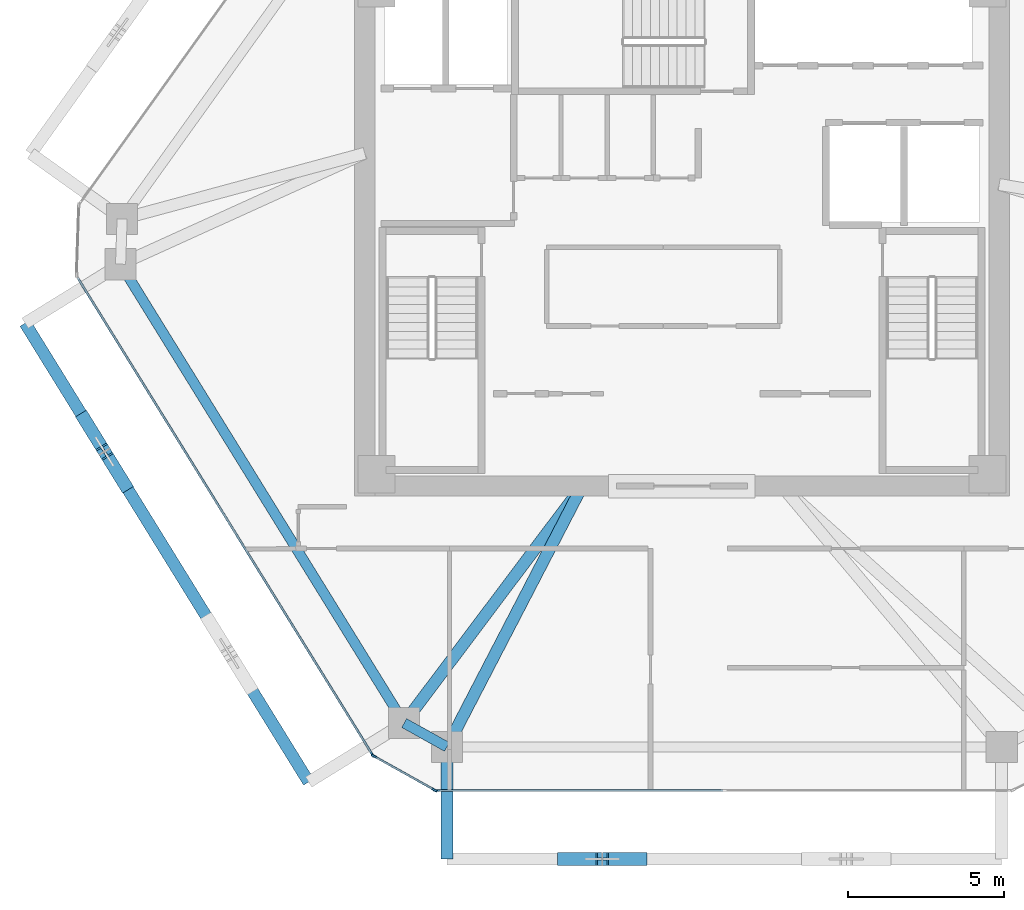
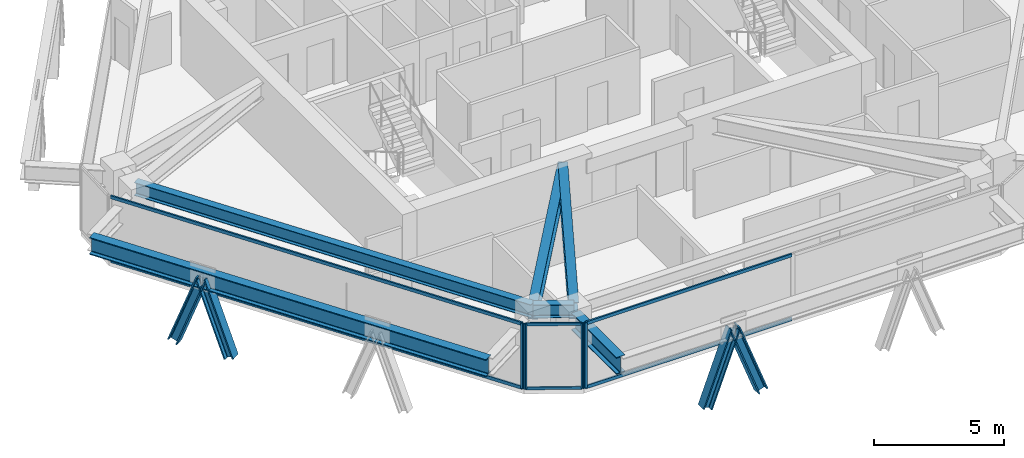
# One storey, part 2 of 14: 14 members, 6 beams, 3 elements without a shape of their own.
"""IFC4 building model written with IfcOpenShell, lengths in metres."""

from ifc_helpers import new_model, si_unit, direction, frame, origin, origin_2d, place, context, subcontext, project, spatial, rectangle, i_section, extrude, source, transform, mapped, material, layer, layer_set, material_profile, profile_set, type_object, type_shapes, element, aggregate, save


model = new_model("IFC4")

# Units and contexts
model_context = context("Model", 3, precision=1e-05, world=origin(), true_north=direction((0.0, 1.0)))
body_context = subcontext(model_context, "Body", "Model", "MODEL_VIEW")
ifc_project = project(units=[si_unit("LENGTHUNIT", "METRE"), si_unit("AREAUNIT", "SQUARE_METRE"), si_unit("VOLUMEUNIT", "CUBIC_METRE"), si_unit("PLANEANGLEUNIT", "RADIAN"), si_unit("MASSUNIT", "GRAM", prefix="KILO")], contexts=[model_context])

# Site, building, storey
site_placement = place(None, origin())
site = spatial("IfcSite", under=ifc_project, at=site_placement, CompositionType="ELEMENT")
building_placement = place(site_placement, origin())
building = spatial("IfcBuilding", under=site, at=building_placement, Name="Durnholm Broadcast Tower", CompositionType="ELEMENT")
storey_placement = place(building_placement, frame((0.0, 0.0, 193.60009765625)))
storey = spatial("IfcBuildingStorey", under=building, at=storey_placement, Name="L53", CompositionType="ELEMENT", Elevation=193.60009765625)

# Beams
ifc_material_1 = material(Name="Steel ASTM A992 Grade 50", Category="steel")
ifc_material_profile_1 = material_profile(ifc_material_1, i_section(OverallWidth=0.385009765625, OverallDepth=0.802978515625, WebThickness=0.023681640625, FlangeThickness=0.0419921875, FilletRadius=0.032958984375, at=origin_2d()), Name="W30X261")
ifc_profile_set_1 = profile_set([ifc_material_profile_1], Name="Steel ASTM A992 Grade 50")
beam_type_1 = type_object("IfcBeamType", Name="BM-EXO-TIE", PredefinedType="USERDEFINED", material=ifc_profile_set_1)
shared_shape_1 = source(origin(), body_context, "Body", "SweptSolid", [
    extrude(i_section(OverallWidth=0.385009765625, OverallDepth=0.802978515625, WebThickness=0.023681640625, FlangeThickness=0.0419921875, FilletRadius=0.032958984375, at=origin_2d()), origin(), (0.0, 0.0, 1.0), 3.4560546875),
])
beam_1_placement = place(storey_placement, frame((-7.53955078125, -16.68603515625, 2.308349609375), z_axis=(0.0, -1.0, 0.0), x_axis=(1.0, 0.0, 0.0)))
element("IfcBeam", 1, at=beam_1_placement, inside=storey, type_object=beam_type_1, Name="L53 exoskeleton stand-off tie bracket F1.1", ObjectType="GIRDER", PredefinedType="USERDEFINED", context=body_context, shape_type="MappedRepresentation", body=[
    mapped(shared_shape_1, transform((0.0, 0.0, 0.0), x_axis=(1.0, 0.0, 0.0), y_axis=(0.0, 1.0, 0.0), z_axis=(0.0, 0.0, 1.0), scale=1.0)),
])
ifc_material_profile_2 = material_profile(ifc_material_1, i_section(OverallWidth=0.3251953125, OverallDepth=0.6162109375, WebThickness=0.013916015625, FlangeThickness=0.021484375, FilletRadius=0.02783203125, at=origin_2d()), Name="W24X117")
ifc_profile_set_2 = profile_set([ifc_material_profile_2], Name="Steel ASTM A992 Grade 50")
beam_type_2 = type_object("IfcBeamType", Name="STL-SP-W24X117", PredefinedType="SPANDREL", material=ifc_profile_set_2)
shared_shape_2 = source(origin(), body_context, "Body", "SweptSolid", [
    extrude(i_section(OverallWidth=0.3251953125, OverallDepth=0.6162109375, WebThickness=0.013916015625, FlangeThickness=0.021484375, FilletRadius=0.02783203125, at=origin_2d()), origin(), (0.0, 0.0, 1.0), 17.3037109375),
])
beam_2_placement = place(storey_placement, frame((-8.91259765625, -15.7763671875, 2.73681640625), z_axis=(-0.525695324718, 0.850672925142, 0.0), x_axis=(-0.850672925142, -0.525695324718, 0.0)))
element("IfcBeam", 2, at=beam_2_placement, inside=storey, type_object=beam_type_2, Name="L53 perimeter spandrel girder 01", PredefinedType="SPANDREL", context=body_context, shape_type="MappedRepresentation", body=[
    mapped(shared_shape_2, transform((0.0, 0.0, 0.0), x_axis=(1.0, 0.0, 0.0), y_axis=(0.0, 1.0, 0.0), z_axis=(0.0, 0.0, 1.0), scale=1.0)),
])
shared_shape_3 = source(origin(), body_context, "Body", "SweptSolid", [
    extrude(i_section(OverallWidth=0.3251953125, OverallDepth=0.6162109375, WebThickness=0.013916015625, FlangeThickness=0.021484375, FilletRadius=0.02783203125, at=origin_2d()), origin(), (0.0, 0.0, 1.0), 1.572021484375),
])
type_shapes(beam_type_2, [shared_shape_2, shared_shape_3])
beam_3_placement = place(storey_placement, frame((-7.53955078125, -16.5419921875, 2.73681640625), z_axis=(-0.873394362663, 0.487013641769, 0.0), x_axis=(-0.487013641769, -0.873394362663, 0.0)))
element("IfcBeam", 3, at=beam_3_placement, inside=storey, type_object=beam_type_2, Name="L53 perimeter spandrel girder 12", PredefinedType="SPANDREL", context=body_context, shape_type="MappedRepresentation", body=[
    mapped(shared_shape_3, transform((0.0, 0.0, 0.0), x_axis=(1.0, 0.0, 0.0), y_axis=(0.0, 1.0, 0.0), z_axis=(0.0, 0.0, 1.0), scale=1.0)),
])
shared_shape_4 = source(origin(), body_context, "Body", "SweptSolid", [
    extrude(i_section(OverallWidth=0.385009765625, OverallDepth=0.802978515625, WebThickness=0.023681640625, FlangeThickness=0.0419921875, FilletRadius=0.032958984375, at=origin_2d()), origin(), (0.0, 0.0, 1.0), 17.303466796875),
])
type_shapes(beam_type_1, [shared_shape_1, shared_shape_4])
beam_4_placement = place(storey_placement, frame((-21.071533203125, -2.94921875, 2.308349609375), z_axis=(0.525701634347, -0.850669025911, 0.0), x_axis=(0.850669025911, 0.525701634347, 0.0)))
element("IfcBeam", 4, at=beam_4_placement, inside=storey, type_object=beam_type_1, Name="L53 exoskeleton collector spandrel F6", PredefinedType="SPANDREL", context=body_context, shape_type="MappedRepresentation", body=[
    mapped(shared_shape_4, transform((0.0, 0.0, 0.0), x_axis=(1.0, 0.0, 0.0), y_axis=(0.0, 1.0, 0.0), z_axis=(0.0, 0.0, 1.0), scale=1.0)),
])
ifc_material_profile_3 = material_profile(ifc_material_1, i_section(OverallWidth=0.380615234375, OverallDepth=0.773193359375, WebThickness=0.0166015625, FlangeThickness=0.027099609375, FilletRadius=0.032958984375, at=origin_2d()), Name="W30X173")
ifc_profile_set_3 = profile_set([ifc_material_profile_3], Name="Steel ASTM A992 Grade 50")
beam_type_3 = type_object("IfcBeamType", Name="STL-GR-W30X173", PredefinedType="USERDEFINED", material=ifc_profile_set_3)
shared_shape_5 = source(origin(), body_context, "Body", "SweptSolid", [
    extrude(i_section(OverallWidth=0.380615234375, OverallDepth=0.773193359375, WebThickness=0.0166015625, FlangeThickness=0.027099609375, FilletRadius=0.032958984375, at=origin_2d()), origin(), (0.0, 0.0, 1.0), 9.508544921875),
])
beam_5_placement = place(storey_placement, frame((-3.199951171875, -8.175048828125, 2.658203125), z_axis=(-0.600784359039, -0.799411129479, 0.0), x_axis=(0.799411129479, -0.600784359039, 0.0)))
element("IfcBeam", 5, at=beam_5_placement, inside=storey, type_object=beam_type_3, Name="L53 radial primary floor girder 01", ObjectType="GIRDER", PredefinedType="USERDEFINED", context=body_context, shape_type="MappedRepresentation", body=[
    mapped(shared_shape_5, transform((0.0, 0.0, 0.0), x_axis=(1.0, 0.0, 0.0), y_axis=(0.0, 1.0, 0.0), z_axis=(0.0, 0.0, 1.0), scale=1.0)),
])
shared_shape_6 = source(origin(), body_context, "Body", "SweptSolid", [
    extrude(i_section(OverallWidth=0.380615234375, OverallDepth=0.773193359375, WebThickness=0.0166015625, FlangeThickness=0.027099609375, FilletRadius=0.032958984375, at=origin_2d()), origin(), (0.0, 0.0, 1.0), 9.42529296875),
])
type_shapes(beam_type_3, [shared_shape_5, shared_shape_6])
beam_6_placement = place(storey_placement, frame((-3.199951171875, -8.175048828125, 2.658203125), z_axis=(-0.460416206992, -0.887703169048, 0.0), x_axis=(0.887703169048, -0.460416206992, 0.0)))
element("IfcBeam", 6, at=beam_6_placement, inside=storey, type_object=beam_type_3, Name="L53 radial primary floor girder 12", ObjectType="GIRDER", PredefinedType="USERDEFINED", context=body_context, shape_type="MappedRepresentation", body=[
    mapped(shared_shape_6, transform((0.0, 0.0, 0.0), x_axis=(1.0, 0.0, 0.0), y_axis=(0.0, 1.0, 0.0), z_axis=(0.0, 0.0, 1.0), scale=1.0)),
])

# Members
ifc_material_2 = material(Name="Steel ASTM A913 Grade 65", Category="steel")
ifc_material_profile_4 = material_profile(ifc_material_2, i_section(OverallWidth=0.412109375, OverallDepth=0.434814453125, WebThickness=0.035888671875, FlangeThickness=0.057373046875, FilletRadius=0.030517578125, at=origin_2d()), Name="W14X311")
ifc_profile_set_4 = profile_set([ifc_material_profile_4], Name="Steel ASTM A913 Grade 65")
member_type_1 = type_object("IfcMemberType", Name="STL-DG-W14X311", PredefinedType="BRACE", material=ifc_profile_set_4)
shared_shape_7 = source(origin(), body_context, "Body", "SweptSolid", [
    extrude(i_section(OverallWidth=0.412109375, OverallDepth=0.434814453125, WebThickness=0.035888671875, FlangeThickness=0.057373046875, FilletRadius=0.030517578125, at=origin_2d()), origin(), (0.0, 0.0, 1.0), 3.52294921875),
])
type_shapes(member_type_1, [shared_shape_7])
for number, where, z_axis, x_axis, name in (
    (7, (-3.790283203125, -20.14208984375, -0.991455078125), (0.35018152026, 0.0, 0.936681857873), (0.0, 1.0, 0.0), "L53 stand-off diagrid brace F1.D1.1"),
    (8, (-1.32275390625, -20.14208984375, -0.991455078125), (-0.350242321485, 0.0, 0.93665912489), (0.0, -1.0, 0.0), "L53 stand-off diagrid brace F1.D1.2"),
    (9, (-19.173095703125, -6.021240234375, -0.991455078125), (0.18413098891, -0.297922138248, 0.936663321832), (0.850644447398, 0.525741404219, 0.0), "L53 stand-off diagrid brace F6.D1.1"),
    (10, (-17.8759765625, -8.120361328125, -0.991455078125), (-0.184064036868, 0.297925939192, 0.936675271953), (-0.850732935913, -0.525598203719, 0.0), "L53 stand-off diagrid brace F6.D1.2"),
):
    element("IfcMember", number, at=place(storey_placement, frame(where, z_axis=z_axis, x_axis=x_axis)), inside=storey, type_object=member_type_1, Name=name, PredefinedType="BRACE", context=body_context, shape_type="MappedRepresentation", body=[
        mapped(shared_shape_7, transform((0.0, 0.0, 0.0), x_axis=(1.0, 0.0, 0.0), y_axis=(0.0, 1.0, 0.0), z_axis=(0.0, 0.0, 1.0), scale=1.0)),
    ])

# Curtain wall, members
ifc_material_3 = material(Name="Aluminium and Solar Control IGU", Category="aluminium")
ifc_layer_1 = layer(ifc_material_3, 0.1650390625)
ifc_layer_set_1 = layer_set([ifc_layer_1], Name="Aluminium and Solar Control IGU")
curtain_wall_type_1 = type_object("IfcCurtainWallType", Name="CW-SYS-5", PredefinedType="NOTDEFINED", material=ifc_layer_set_1)
curtain_wall_1_placement = place(storey_placement, origin())
curtain_wall_1 = element("IfcCurtainWall", 11, at=curtain_wall_1_placement, inside=storey, type_object=curtain_wall_type_1, Name="L53 curtain wall CW-CORNER CW-L53-CRN-11", PredefinedType="NOTDEFINED")
ifc_material_4 = material(Name="Aluminium 6063-T6", Category="aluminium")
ifc_material_profile_5 = material_profile(ifc_material_4, rectangle(XDim=0.06494140625, YDim=0.1650390625, at=origin_2d()), Name="CWM65X165")
ifc_profile_set_5 = profile_set([ifc_material_profile_5], Name="Aluminium 6063-T6")
member_type_2 = type_object("IfcMemberType", Name="CW-SYS-5-MUL", PredefinedType="MULLION", material=ifc_profile_set_5)
shared_shape_8 = source(origin(), body_context, "Body", "SweptSolid", [
    extrude(rectangle(XDim=0.06494140625, YDim=0.1650390625, at=origin_2d()), origin(), (0.0, 0.0, 1.0), 3.059814453125),
])
type_shapes(member_type_2, [shared_shape_8])
member_1_placement = place(storey_placement, frame((-7.931884765625, -17.92626953125, 0.0), z_axis=(0.0, 0.0, 1.0), x_axis=(-0.486986043316, -0.873409751271, 0.0)))
member_1 = element("IfcMember", 12, at=member_1_placement, type_object=member_type_2, Name="CW-CORNER mullion 1", PredefinedType="MULLION", context=body_context, shape_type="MappedRepresentation", body=[
    mapped(shared_shape_8, transform((0.0, 0.0, 0.0), x_axis=(1.0, 0.0, 0.0), y_axis=(0.0, 1.0, 0.0), z_axis=(0.0, 0.0, 1.0), scale=1.0)),
])
member_2_placement = place(storey_placement, frame((-9.884033203125, -16.837646484375, 0.0), z_axis=(0.0, 0.0, 1.0), x_axis=(-0.486986043316, -0.873409751271, 0.0)))
member_2 = element("IfcMember", 13, at=member_2_placement, type_object=member_type_2, Name="CW-CORNER mullion 2", PredefinedType="MULLION", context=body_context, shape_type="MappedRepresentation", body=[
    mapped(shared_shape_8, transform((0.0, 0.0, 0.0), x_axis=(1.0, 0.0, 0.0), y_axis=(0.0, 1.0, 0.0), z_axis=(0.0, 0.0, 1.0), scale=1.0)),
])
ifc_material_profile_6 = material_profile(ifc_material_4, rectangle(XDim=0.06494140625, YDim=0.1298828125, at=origin_2d()), Name="CWT65X130")
ifc_profile_set_6 = profile_set([ifc_material_profile_6], Name="Aluminium 6063-T6")
member_type_3 = type_object("IfcMemberType", Name="CW-SYS-5-TRN", PredefinedType="USERDEFINED", material=ifc_profile_set_6)
shared_shape_9 = source(origin(), body_context, "Body", "SweptSolid", [
    extrude(rectangle(XDim=0.06494140625, YDim=0.1298828125, at=origin_2d()), origin(), (0.0, 0.0, 1.0), 2.169921875),
])
type_shapes(member_type_3, [shared_shape_9])
member_3_placement = place(storey_placement, frame((-7.960205078125, -17.910400390625, 0.032470703125), z_axis=(-0.873381360539, 0.487036958621, 0.0), x_axis=(-0.487036958621, -0.873381360539, 0.0)))
member_3 = element("IfcMember", 14, at=member_3_placement, type_object=member_type_3, Name="CW-CORNER transom 1.1", ObjectType="TRANSOM", PredefinedType="USERDEFINED", context=body_context, shape_type="MappedRepresentation", body=[
    mapped(shared_shape_9, transform((0.0, 0.0, 0.0), x_axis=(1.0, 0.0, 0.0), y_axis=(0.0, 1.0, 0.0), z_axis=(0.0, 0.0, 1.0), scale=1.0)),
])
member_4_placement = place(storey_placement, frame((-7.960205078125, -17.910400390625, 3.02734375), z_axis=(-0.873381360539, 0.487036958621, 0.0), x_axis=(-0.487036958621, -0.873381360539, 0.0)))
member_4 = element("IfcMember", 15, at=member_4_placement, type_object=member_type_3, Name="CW-CORNER transom 1.2", ObjectType="TRANSOM", PredefinedType="USERDEFINED", context=body_context, shape_type="MappedRepresentation", body=[
    mapped(shared_shape_9, transform((0.0, 0.0, 0.0), x_axis=(1.0, 0.0, 0.0), y_axis=(0.0, 1.0, 0.0), z_axis=(0.0, 0.0, 1.0), scale=1.0)),
])
aggregate(curtain_wall_1, [member_1, member_2, member_3, member_4])

ifc_layer_2 = layer(ifc_material_3, 0.18994140625)
ifc_layer_set_2 = layer_set([ifc_layer_2], Name="Aluminium and Solar Control IGU")
curtain_wall_type_2 = type_object("IfcCurtainWallType", Name="CW-SYS-4", PredefinedType="NOTDEFINED", material=ifc_layer_set_2)
curtain_wall_2_placement = place(storey_placement, origin())
curtain_wall_2 = element("IfcCurtainWall", 16, at=curtain_wall_2_placement, inside=storey, type_object=curtain_wall_type_2, Name="L53 curtain wall CW-Z34-VIS CW-L53-F10", PredefinedType="NOTDEFINED")
ifc_material_profile_7 = material_profile(ifc_material_4, rectangle(XDim=0.070068359375, YDim=0.14990234375, at=origin_2d()), Name="CWT70X150")
ifc_profile_set_7 = profile_set([ifc_material_profile_7], Name="Aluminium 6063-T6")
member_type_4 = type_object("IfcMemberType", Name="CW-SYS-4-TRN", PredefinedType="USERDEFINED", material=ifc_profile_set_7)
shared_shape_10 = source(origin(), body_context, "Body", "SweptSolid", [
    extrude(rectangle(XDim=0.070068359375, YDim=0.14990234375, at=origin_2d()), origin(), (0.0, 0.0, 1.0), 9.14453125),
])
member_5_placement = place(storey_placement, frame((1.31103515625, -17.94189453125, 0.034912109375), z_axis=(-1.0, 0.0, 0.0), x_axis=(0.0, -1.0, 0.0)))
member_5 = element("IfcMember", 17, at=member_5_placement, type_object=member_type_4, Name="CW-Z34-VIS transom 2.1", ObjectType="TRANSOM", PredefinedType="USERDEFINED", context=body_context, shape_type="MappedRepresentation", body=[
    mapped(shared_shape_10, transform((0.0, 0.0, 0.0), x_axis=(1.0, 0.0, 0.0), y_axis=(0.0, 1.0, 0.0), z_axis=(0.0, 0.0, 1.0), scale=1.0)),
])
member_6_placement = place(storey_placement, frame((1.31103515625, -17.94189453125, 3.02490234375), z_axis=(-1.0, 0.0, 0.0), x_axis=(0.0, -1.0, 0.0)))
member_6 = element("IfcMember", 18, at=member_6_placement, type_object=member_type_4, Name="CW-Z34-VIS transom 2.2", ObjectType="TRANSOM", PredefinedType="USERDEFINED", context=body_context, shape_type="MappedRepresentation", body=[
    mapped(shared_shape_10, transform((0.0, 0.0, 0.0), x_axis=(1.0, 0.0, 0.0), y_axis=(0.0, 1.0, 0.0), z_axis=(0.0, 0.0, 1.0), scale=1.0)),
])

curtain_wall_3_placement = place(storey_placement, origin())
curtain_wall_3 = element("IfcCurtainWall", 19, at=curtain_wall_3_placement, inside=storey, type_object=curtain_wall_type_2, Name="L53 curtain wall CW-Z34-VIS CW-L53-F12", PredefinedType="NOTDEFINED")
shared_shape_11 = source(origin(), body_context, "Body", "SweptSolid", [
    extrude(rectangle(XDim=0.070068359375, YDim=0.14990234375, at=origin_2d()), origin(), (0.0, 0.0, 1.0), 17.951171875),
])
type_shapes(member_type_4, [shared_shape_10, shared_shape_11])
member_7_placement = place(storey_placement, frame((-9.94921875, -16.762451171875, 0.034912109375), z_axis=(-0.525693813807, 0.850673858847, 0.0), x_axis=(-0.850673858847, -0.525693813807, 0.0)))
member_7 = element("IfcMember", 20, at=member_7_placement, type_object=member_type_4, Name="CW-Z34-VIS transom 1.1", ObjectType="TRANSOM", PredefinedType="USERDEFINED", context=body_context, shape_type="MappedRepresentation", body=[
    mapped(shared_shape_11, transform((0.0, 0.0, 0.0), x_axis=(1.0, 0.0, 0.0), y_axis=(0.0, 1.0, 0.0), z_axis=(0.0, 0.0, 1.0), scale=1.0)),
])
member_8_placement = place(storey_placement, frame((-9.94921875, -16.762451171875, 3.02490234375), z_axis=(-0.525693813807, 0.850673858847, 0.0), x_axis=(-0.850673858847, -0.525693813807, 0.0)))
member_8 = element("IfcMember", 21, at=member_8_placement, type_object=member_type_4, Name="CW-Z34-VIS transom 1.2", ObjectType="TRANSOM", PredefinedType="USERDEFINED", context=body_context, shape_type="MappedRepresentation", body=[
    mapped(shared_shape_11, transform((0.0, 0.0, 0.0), x_axis=(1.0, 0.0, 0.0), y_axis=(0.0, 1.0, 0.0), z_axis=(0.0, 0.0, 1.0), scale=1.0)),
])

# Member
ifc_material_profile_8 = material_profile(ifc_material_4, rectangle(XDim=0.070068359375, YDim=0.18994140625, at=origin_2d()), Name="CWM70X190")
ifc_profile_set_8 = profile_set([ifc_material_profile_8], Name="Aluminium 6063-T6")
member_type_5 = type_object("IfcMemberType", Name="CW-SYS-4-MUL", PredefinedType="MULLION", material=ifc_profile_set_8)
shared_shape_12 = source(origin(), body_context, "Body", "SweptSolid", [
    extrude(rectangle(XDim=0.070068359375, YDim=0.18994140625, at=origin_2d()), origin(), (0.0, 0.0, 1.0), 3.059814453125),
])
type_shapes(member_type_5, [shared_shape_12])
member_9_placement = place(storey_placement, frame((-7.868408203125, -17.94189453125, 0.0), z_axis=(0.0, 0.0, 1.0), x_axis=(0.0, -1.0, 0.0)))
member_9 = element("IfcMember", 22, at=member_9_placement, type_object=member_type_5, Name="CW-Z34-VIS mullion 3", PredefinedType="MULLION", context=body_context, shape_type="MappedRepresentation", body=[
    mapped(shared_shape_12, transform((0.0, 0.0, 0.0), x_axis=(1.0, 0.0, 0.0), y_axis=(0.0, 1.0, 0.0), z_axis=(0.0, 0.0, 1.0), scale=1.0)),
])

aggregate(curtain_wall_2, [member_9, member_5, member_6])

member_10_placement = place(storey_placement, frame((-9.9306640625, -16.792236328125, 0.0), z_axis=(0.0, 0.0, 1.0), x_axis=(-0.850671426092, -0.525697750452, 0.0)))
member_10 = element("IfcMember", 23, at=member_10_placement, type_object=member_type_5, Name="CW-Z34-VIS mullion 1", PredefinedType="MULLION", context=body_context, shape_type="MappedRepresentation", body=[
    mapped(shared_shape_12, transform((0.0, 0.0, 0.0), x_axis=(1.0, 0.0, 0.0), y_axis=(0.0, 1.0, 0.0), z_axis=(0.0, 0.0, 1.0), scale=1.0)),
])

aggregate(curtain_wall_3, [member_10, member_7, member_8])

save(model, "model.ifc")
